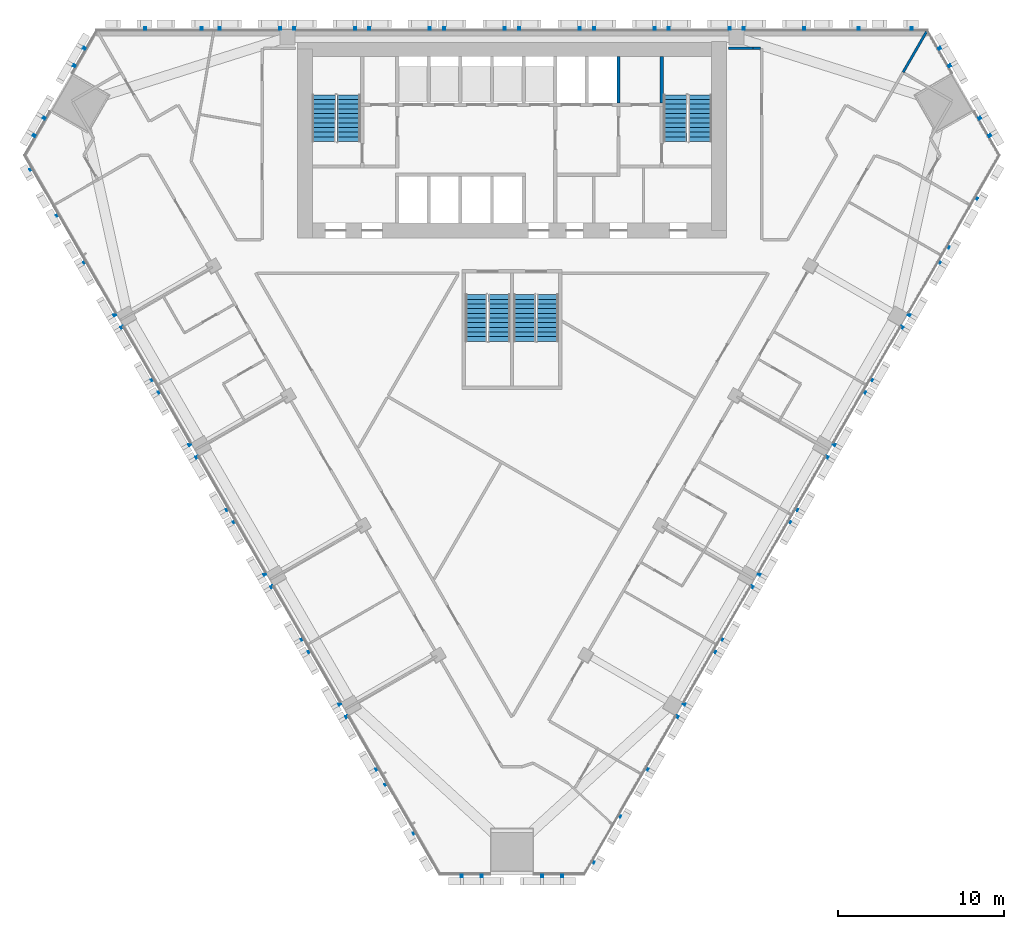
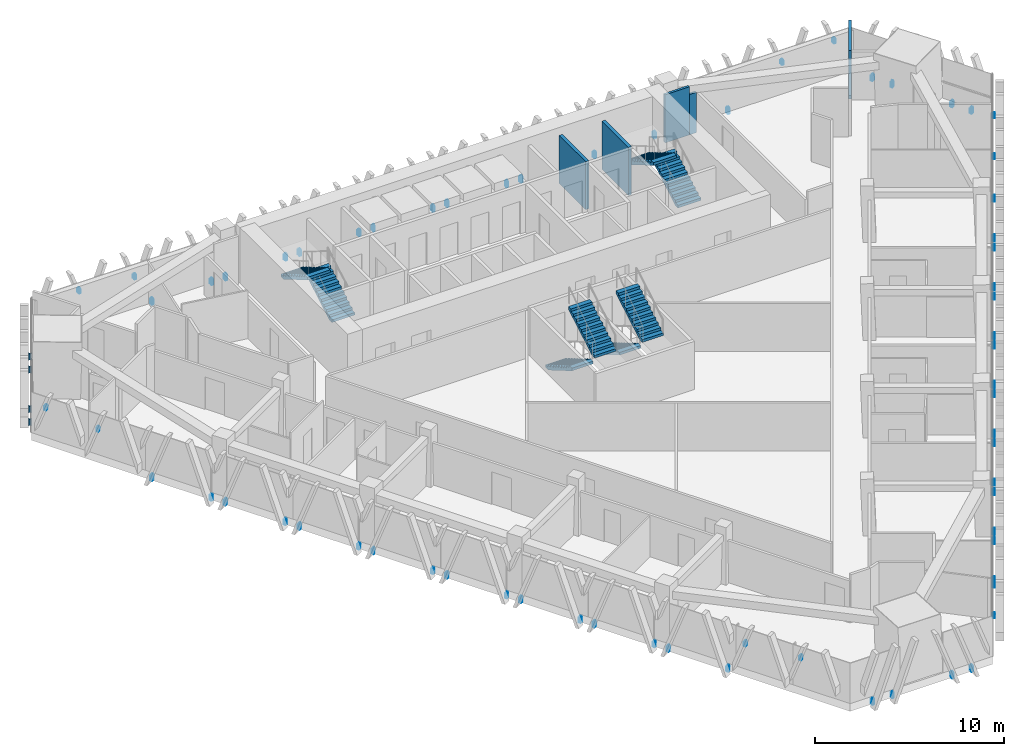
# One storey, part 13 of 16: 8 stair flights, 6 discrete accessories, 5 walls, 4 elements without a shape of their own.
"""IFC4 building model written with IfcOpenShell, lengths in metres."""

from ifc_helpers import new_model, si_unit, direction, frame, frame_2d, origin, place, context, subcontext, project, spatial, polyline, rectangle, outline, extrude, source, transform, mapped, material, layer, layer_set, type_object, element, aggregate, save


model = new_model("IFC4")

# Units and contexts
model_context = context("Model", 3, precision=1e-05, world=origin(), true_north=direction((0.0, 1.0)))
body_context = subcontext(model_context, "Body", "Model", "MODEL_VIEW")
ifc_project = project(units=[si_unit("LENGTHUNIT", "METRE"), si_unit("AREAUNIT", "SQUARE_METRE"), si_unit("VOLUMEUNIT", "CUBIC_METRE"), si_unit("PLANEANGLEUNIT", "RADIAN"), si_unit("MASSUNIT", "GRAM", prefix="KILO")], contexts=[model_context])

# Site, building, storey
site_placement = place(None, origin())
site = spatial("IfcSite", under=ifc_project, at=site_placement, CompositionType="ELEMENT")
building_placement = place(site_placement, origin())
building = spatial("IfcBuilding", under=site, at=building_placement, Name="Altiplano Prism Tower", CompositionType="ELEMENT")
storey_placement = place(building_placement, frame((0.0, 0.0, 88.199951171875)))
storey = spatial("IfcBuildingStorey", under=building, at=storey_placement, Name="L22", CompositionType="ELEMENT", Elevation=88.199951171875)

# Walls
ifc_material_1 = material(Name="Plasterboard on steel stud", Category="steel")
ifc_layer_1 = layer(ifc_material_1, 0.14990234375)
ifc_layer_set_1 = layer_set([ifc_layer_1], Name="Plasterboard on steel stud")
wall_type_1 = type_object("IfcWallType", Name="Partition 150 corridor", PredefinedType="PARTITIONING", material=ifc_layer_set_1)
wall_1_placement = place(storey_placement, frame((99.925048828125, 103.89990234375, 0.0), z_axis=(0.0, 0.0, 1.0), x_axis=(-1.0, 0.0, 0.0)))
element("IfcWall", 1, at=wall_1_placement, inside=storey, type_object=wall_type_1, Name="Partition P06 L22 041", PredefinedType="PARTITIONING", context=body_context, shape_type="SweptSolid", body=[
    extrude(rectangle(XDim=0.432861328125, YDim=0.14990234375, at=frame_2d((0.21630859375, 0.0))), origin(), (0.0, 0.0, 1.0), 2.60009765625),
])
wall_2_placement = place(storey_placement, frame((99.4921875, 103.89990234375, 0.0), z_axis=(0.0, 0.0, 1.0), x_axis=(-1.0, 0.0, 0.0)))
element("IfcWall", 2, at=wall_2_placement, inside=storey, type_object=wall_type_1, Name="Partition P06 L22 042", PredefinedType="PARTITIONING", context=body_context, shape_type="SweptSolid", body=[
    extrude(rectangle(XDim=1.4921875, YDim=0.14990234375, at=frame_2d((0.74609375, 0.0))), origin(), (0.0, 0.0, 1.0), 3.10009765625),
])
ifc_layer_2 = layer(ifc_material_1, 0.14990234375)
ifc_layer_set_2 = layer_set([ifc_layer_2], Name="Plasterboard on steel stud")
wall_type_2 = type_object("IfcWallType", Name="Partition 150 party", PredefinedType="PARTITIONING", material=ifc_layer_set_2)
wall_3_placement = place(storey_placement, frame((109.904052734375, 104.89990234375, 0.0), z_axis=(0.0, 0.0, 1.0), x_axis=(-0.49997269499, -0.866041167766, 0.0)))
element("IfcWall", 3, at=wall_3_placement, inside=storey, type_object=wall_type_2, Name="Partition P01 L22 079", PredefinedType="PARTITIONING", context=body_context, shape_type="SweptSolid", body=[
    extrude(rectangle(XDim=2.815185546875, YDim=0.14990234375, at=frame_2d((1.40771484375, 0.0))), origin(), (0.0, 0.0, 1.0), 3.10009765625),
])
ifc_material_2 = material(Name="Concrete C60/75", Category="concrete")
ifc_layer_3 = layer(ifc_material_2, 0.199951171875)
ifc_layer_set_3 = layer_set([ifc_layer_3], Name="Concrete C60/75")
wall_type_3 = type_object("IfcWallType", Name="Shaft wall 200", PredefinedType="SOLIDWALL", material=ifc_layer_set_3)
wall_4_placement = place(storey_placement, frame((91.39990234375, 100.60009765625, 0.0), z_axis=(0.0, 0.0, 1.0), x_axis=(0.0, 1.0, 0.0)))
element("IfcWall", 4, at=wall_4_placement, inside=storey, type_object=wall_type_3, Name="Shaft wall L22", PredefinedType="SOLIDWALL", context=body_context, shape_type="SweptSolid", body=[
    extrude(rectangle(XDim=2.7998046875, YDim=0.199951171875, at=frame_2d((1.39990234375, 0.0))), origin(), (0.0, 0.0, 1.0), 3.10009765625),
])
ifc_layer_4 = layer(ifc_material_2, 0.199951171875)
ifc_layer_set_4 = layer_set([ifc_layer_4], Name="Concrete C60/75")
wall_type_4 = type_object("IfcWallType", Name="Stair wall 200", PredefinedType="SOLIDWALL", material=ifc_layer_set_4)
wall_5_placement = place(storey_placement, frame((94.0, 100.60009765625, 0.0), z_axis=(0.0, 0.0, 1.0), x_axis=(0.0, 1.0, 0.0)))
element("IfcWall", 5, at=wall_5_placement, inside=storey, type_object=wall_type_4, Name="Stair wall L22", PredefinedType="SOLIDWALL", context=body_context, shape_type="SweptSolid", body=[
    extrude(rectangle(XDim=2.7998046875, YDim=0.199951171875, at=frame_2d((1.39990234375, 0.0))), origin(), (0.0, 0.0, 1.0), 3.10009765625),
])

# Stair, stair flights
ifc_material_3 = material(Name="Concrete C40/50", Category="concrete")
stair_type_1 = type_object("IfcStairType", Name="Exit stair 1400", PredefinedType="HALF_TURN_STAIR", material=ifc_material_3)
stair_1_placement = place(storey_placement, origin())
stair_1 = element("IfcStair", 6, at=stair_1_placement, inside=storey, type_object=stair_type_1, Name="L22 Exit Stair 1", PredefinedType="HALF_TURN_STAIR")
stair_flight_type = type_object("IfcStairFlightType", Name="Stair flight concrete 150", PredefinedType="STRAIGHT", material=ifc_material_3)
stair_flight_1_placement = place(storey_placement, frame((75.199951171875, 98.300048828125, 0.0), z_axis=(0.0, 0.0, 1.0), x_axis=(0.0, 1.0, 0.0)))
stair_flight_1 = element("IfcStairFlight", 7, at=stair_flight_1_placement, type_object=stair_flight_type, Name="ST1 flight 1", NumberOfRisers=11, NumberOfTreads=10, PredefinedType="STRAIGHT", RiserHeight=0.163636364, TreadLength=0.28, context=body_context, shape_type="SweptSolid", body=[
    extrude(outline(polyline([(0.0, 0.0), (0.0, 0.16357421875), (0.280029296875, 0.16357421875), (0.280029296875, 0.327392578125), (0.56005859375, 0.327392578125), (0.56005859375, 0.490966796875), (0.840087890625, 0.490966796875), (0.840087890625, 0.654541015625), (1.1201171875, 0.654541015625), (1.1201171875, 0.818115234375), (1.39990234375, 0.818115234375), (1.39990234375, 0.98193359375), (1.679931640625, 0.98193359375), (1.679931640625, 1.1455078125), (1.9599609375, 1.1455078125), (1.9599609375, 1.30908203125), (2.239990234375, 1.30908203125), (2.239990234375, 1.47265625), (2.52001953125, 1.47265625), (2.52001953125, 1.636474609375), (2.800048828125, 1.636474609375), (2.800048828125, 1.800048828125), (2.800048828125, 1.462646484375), (0.297119140625, 0.0), (0.0, 0.0)])), frame((0.0, 0.699951171875, 0.0), z_axis=(0.0, -1.0, 0.0), x_axis=(1.0, 0.0, 0.0)), (0.0, 0.0, 1.0), 1.39990234375),
])
stair_flight_2_placement = place(storey_placement, frame((73.699951171875, 101.10009765625, 1.800048828125), z_axis=(0.0, 0.0, 1.0), x_axis=(0.0, -1.0, 0.0)))
stair_flight_2 = element("IfcStairFlight", 8, at=stair_flight_2_placement, type_object=stair_flight_type, Name="ST1 flight 2", NumberOfRisers=11, NumberOfTreads=10, PredefinedType="STRAIGHT", RiserHeight=0.163636364, TreadLength=0.28, context=body_context, shape_type="SweptSolid", body=[
    extrude(outline(polyline([(0.0, 0.0), (0.0, 0.16357421875), (0.280029296875, 0.16357421875), (0.280029296875, 0.327392578125), (0.56005859375, 0.327392578125), (0.56005859375, 0.490966796875), (0.840087890625, 0.490966796875), (0.840087890625, 0.654541015625), (1.1201171875, 0.654541015625), (1.1201171875, 0.818115234375), (1.39990234375, 0.818115234375), (1.39990234375, 0.98193359375), (1.679931640625, 0.98193359375), (1.679931640625, 1.1455078125), (1.9599609375, 1.1455078125), (1.9599609375, 1.30908203125), (2.239990234375, 1.30908203125), (2.239990234375, 1.47265625), (2.52001953125, 1.47265625), (2.52001953125, 1.636474609375), (2.800048828125, 1.636474609375), (2.800048828125, 1.800048828125), (2.800048828125, 1.462646484375), (0.297119140625, 0.0), (0.0, 0.0)])), frame((0.0, 0.699951171875, 0.0), z_axis=(0.0, -1.0, 0.0), x_axis=(1.0, 0.0, 0.0)), (0.0, 0.0, 1.0), 1.39990234375),
])
aggregate(stair_1, [stair_flight_1, stair_flight_2])

stair_2_placement = place(storey_placement, origin())
stair_2 = element("IfcStair", 9, at=stair_2_placement, inside=storey, type_object=stair_type_1, Name="L22 Exit Stair 2", PredefinedType="HALF_TURN_STAIR")
stair_flight_3_placement = place(storey_placement, frame((96.300048828125, 98.300048828125, 0.0), z_axis=(0.0, 0.0, 1.0), x_axis=(0.0, 1.0, 0.0)))
stair_flight_3 = element("IfcStairFlight", 10, at=stair_flight_3_placement, type_object=stair_flight_type, Name="ST2 flight 1", NumberOfRisers=11, NumberOfTreads=10, PredefinedType="STRAIGHT", RiserHeight=0.163636364, TreadLength=0.28, context=body_context, shape_type="SweptSolid", body=[
    extrude(outline(polyline([(0.0, 0.0), (0.0, 0.16357421875), (0.280029296875, 0.16357421875), (0.280029296875, 0.327392578125), (0.56005859375, 0.327392578125), (0.56005859375, 0.490966796875), (0.840087890625, 0.490966796875), (0.840087890625, 0.654541015625), (1.1201171875, 0.654541015625), (1.1201171875, 0.818115234375), (1.39990234375, 0.818115234375), (1.39990234375, 0.98193359375), (1.679931640625, 0.98193359375), (1.679931640625, 1.1455078125), (1.9599609375, 1.1455078125), (1.9599609375, 1.30908203125), (2.239990234375, 1.30908203125), (2.239990234375, 1.47265625), (2.52001953125, 1.47265625), (2.52001953125, 1.636474609375), (2.800048828125, 1.636474609375), (2.800048828125, 1.800048828125), (2.800048828125, 1.462646484375), (0.297119140625, 0.0), (0.0, 0.0)])), frame((0.0, 0.699951171875, 0.0), z_axis=(0.0, -1.0, 0.0), x_axis=(1.0, 0.0, 0.0)), (0.0, 0.0, 1.0), 1.39990234375),
])
stair_flight_4_placement = place(storey_placement, frame((94.800048828125, 101.10009765625, 1.800048828125), z_axis=(0.0, 0.0, 1.0), x_axis=(0.0, -1.0, 0.0)))
stair_flight_4 = element("IfcStairFlight", 11, at=stair_flight_4_placement, type_object=stair_flight_type, Name="ST2 flight 2", NumberOfRisers=11, NumberOfTreads=10, PredefinedType="STRAIGHT", RiserHeight=0.163636364, TreadLength=0.28, context=body_context, shape_type="SweptSolid", body=[
    extrude(outline(polyline([(0.0, 0.0), (0.0, 0.16357421875), (0.280029296875, 0.16357421875), (0.280029296875, 0.327392578125), (0.56005859375, 0.327392578125), (0.56005859375, 0.490966796875), (0.840087890625, 0.490966796875), (0.840087890625, 0.654541015625), (1.1201171875, 0.654541015625), (1.1201171875, 0.818115234375), (1.39990234375, 0.818115234375), (1.39990234375, 0.98193359375), (1.679931640625, 0.98193359375), (1.679931640625, 1.1455078125), (1.9599609375, 1.1455078125), (1.9599609375, 1.30908203125), (2.239990234375, 1.30908203125), (2.239990234375, 1.47265625), (2.52001953125, 1.47265625), (2.52001953125, 1.636474609375), (2.800048828125, 1.636474609375), (2.800048828125, 1.800048828125), (2.800048828125, 1.462646484375), (0.297119140625, 0.0), (0.0, 0.0)])), frame((0.0, 0.699951171875, 0.0), z_axis=(0.0, -1.0, 0.0), x_axis=(1.0, 0.0, 0.0)), (0.0, 0.0, 1.0), 1.39990234375),
])
aggregate(stair_2, [stair_flight_3, stair_flight_4])

stair_type_2 = type_object("IfcStairType", Name="Exit stair 1300", PredefinedType="HALF_TURN_STAIR", material=ifc_material_3)
stair_3_placement = place(storey_placement, origin())
stair_3 = element("IfcStair", 12, at=stair_3_placement, inside=storey, type_object=stair_type_2, Name="L22 Exit Stair 3A", PredefinedType="HALF_TURN_STAIR")
stair_flight_5_placement = place(storey_placement, frame((82.85009765625, 89.10009765625, 0.0), z_axis=(0.0, 0.0, 1.0), x_axis=(0.0, -1.0, 0.0)))
stair_flight_5 = element("IfcStairFlight", 13, at=stair_flight_5_placement, type_object=stair_flight_type, Name="ST3A flight 1", NumberOfRisers=11, NumberOfTreads=10, PredefinedType="STRAIGHT", RiserHeight=0.163636364, TreadLength=0.28, context=body_context, shape_type="SweptSolid", body=[
    extrude(outline(polyline([(0.0, 0.0), (0.0, 0.16357421875), (0.280029296875, 0.16357421875), (0.280029296875, 0.327392578125), (0.56005859375, 0.327392578125), (0.56005859375, 0.490966796875), (0.840087890625, 0.490966796875), (0.840087890625, 0.654541015625), (1.1201171875, 0.654541015625), (1.1201171875, 0.818115234375), (1.39990234375, 0.818115234375), (1.39990234375, 0.98193359375), (1.679931640625, 0.98193359375), (1.679931640625, 1.1455078125), (1.9599609375, 1.1455078125), (1.9599609375, 1.30908203125), (2.239990234375, 1.30908203125), (2.239990234375, 1.47265625), (2.52001953125, 1.47265625), (2.52001953125, 1.636474609375), (2.800048828125, 1.636474609375), (2.800048828125, 1.800048828125), (2.800048828125, 1.462646484375), (0.297119140625, 0.0), (0.0, 0.0)])), frame((0.0, 0.64990234375, 0.0), z_axis=(0.0, -1.0, 0.0), x_axis=(1.0, 0.0, 0.0)), (0.0, 0.0, 1.0), 1.300048828125),
])
stair_flight_6_placement = place(storey_placement, frame((84.25, 86.300048828125, 1.800048828125), z_axis=(0.0, 0.0, 1.0), x_axis=(0.0, 1.0, 0.0)))
stair_flight_6 = element("IfcStairFlight", 14, at=stair_flight_6_placement, type_object=stair_flight_type, Name="ST3A flight 2", NumberOfRisers=11, NumberOfTreads=10, PredefinedType="STRAIGHT", RiserHeight=0.163636364, TreadLength=0.28, context=body_context, shape_type="SweptSolid", body=[
    extrude(outline(polyline([(0.0, 0.0), (0.0, 0.16357421875), (0.280029296875, 0.16357421875), (0.280029296875, 0.327392578125), (0.56005859375, 0.327392578125), (0.56005859375, 0.490966796875), (0.840087890625, 0.490966796875), (0.840087890625, 0.654541015625), (1.1201171875, 0.654541015625), (1.1201171875, 0.818115234375), (1.39990234375, 0.818115234375), (1.39990234375, 0.98193359375), (1.679931640625, 0.98193359375), (1.679931640625, 1.1455078125), (1.9599609375, 1.1455078125), (1.9599609375, 1.30908203125), (2.239990234375, 1.30908203125), (2.239990234375, 1.47265625), (2.52001953125, 1.47265625), (2.52001953125, 1.636474609375), (2.800048828125, 1.636474609375), (2.800048828125, 1.800048828125), (2.800048828125, 1.462646484375), (0.297119140625, 0.0), (0.0, 0.0)])), frame((0.0, 0.64990234375, 0.0), z_axis=(0.0, -1.0, 0.0), x_axis=(1.0, 0.0, 0.0)), (0.0, 0.0, 1.0), 1.300048828125),
])
aggregate(stair_3, [stair_flight_5, stair_flight_6])

stair_4_placement = place(storey_placement, origin())
stair_4 = element("IfcStair", 15, at=stair_4_placement, inside=storey, type_object=stair_type_2, Name="L22 Exit Stair 3B", PredefinedType="HALF_TURN_STAIR")
stair_flight_7_placement = place(storey_placement, frame((85.75, 89.10009765625, 0.0), z_axis=(0.0, 0.0, 1.0), x_axis=(0.0, -1.0, 0.0)))
stair_flight_7 = element("IfcStairFlight", 16, at=stair_flight_7_placement, type_object=stair_flight_type, Name="ST3B flight 1", NumberOfRisers=11, NumberOfTreads=10, PredefinedType="STRAIGHT", RiserHeight=0.163636364, TreadLength=0.28, context=body_context, shape_type="SweptSolid", body=[
    extrude(outline(polyline([(0.0, 0.0), (0.0, 0.16357421875), (0.280029296875, 0.16357421875), (0.280029296875, 0.327392578125), (0.56005859375, 0.327392578125), (0.56005859375, 0.490966796875), (0.840087890625, 0.490966796875), (0.840087890625, 0.654541015625), (1.1201171875, 0.654541015625), (1.1201171875, 0.818115234375), (1.39990234375, 0.818115234375), (1.39990234375, 0.98193359375), (1.679931640625, 0.98193359375), (1.679931640625, 1.1455078125), (1.9599609375, 1.1455078125), (1.9599609375, 1.30908203125), (2.239990234375, 1.30908203125), (2.239990234375, 1.47265625), (2.52001953125, 1.47265625), (2.52001953125, 1.636474609375), (2.800048828125, 1.636474609375), (2.800048828125, 1.800048828125), (2.800048828125, 1.462646484375), (0.297119140625, 0.0), (0.0, 0.0)])), frame((0.0, 0.64990234375, 0.0), z_axis=(0.0, -1.0, 0.0), x_axis=(1.0, 0.0, 0.0)), (0.0, 0.0, 1.0), 1.300048828125),
])
stair_flight_8_placement = place(storey_placement, frame((87.14990234375, 86.300048828125, 1.800048828125), z_axis=(0.0, 0.0, 1.0), x_axis=(0.0, 1.0, 0.0)))
stair_flight_8 = element("IfcStairFlight", 17, at=stair_flight_8_placement, type_object=stair_flight_type, Name="ST3B flight 2", NumberOfRisers=11, NumberOfTreads=10, PredefinedType="STRAIGHT", RiserHeight=0.163636364, TreadLength=0.28, context=body_context, shape_type="SweptSolid", body=[
    extrude(outline(polyline([(0.0, 0.0), (0.0, 0.16357421875), (0.280029296875, 0.16357421875), (0.280029296875, 0.327392578125), (0.56005859375, 0.327392578125), (0.56005859375, 0.490966796875), (0.840087890625, 0.490966796875), (0.840087890625, 0.654541015625), (1.1201171875, 0.654541015625), (1.1201171875, 0.818115234375), (1.39990234375, 0.818115234375), (1.39990234375, 0.98193359375), (1.679931640625, 0.98193359375), (1.679931640625, 1.1455078125), (1.9599609375, 1.1455078125), (1.9599609375, 1.30908203125), (2.239990234375, 1.30908203125), (2.239990234375, 1.47265625), (2.52001953125, 1.47265625), (2.52001953125, 1.636474609375), (2.800048828125, 1.636474609375), (2.800048828125, 1.800048828125), (2.800048828125, 1.462646484375), (0.297119140625, 0.0), (0.0, 0.0)])), frame((0.0, 0.64990234375, 0.0), z_axis=(0.0, -1.0, 0.0), x_axis=(1.0, 0.0, 0.0)), (0.0, 0.0, 1.0), 1.300048828125),
])
aggregate(stair_4, [stair_flight_7, stair_flight_8])

# Discrete accessories
ifc_material_4 = material(Name="Stainless steel", Category="steel")
discrete_accessory_type = type_object("IfcDiscreteAccessoryType", Name="Stone fin fixing prongs", PredefinedType="USERDEFINED", material=ifc_material_4)
shared_shape_1 = source(origin(), body_context, "Body", "SweptSolid", [
    extrude(outline(polyline([(-1.06201171875, 2.34521484375), (-0.942138671875, 2.34521484375), (-0.942138671875, 2.645263671875), (-1.06201171875, 2.645263671875), (-1.06201171875, 2.34521484375)])), frame((0.0, 0.0, 0.0), z_axis=(0.0, -1.0, 0.0), x_axis=(1.0, 0.0, 0.0)), (0.0, 0.0, 1.0), 0.14990234375),
])
shared_shape_2 = source(origin(), body_context, "Body", "SweptSolid", [
    extrude(outline(polyline([(-1.16162109375, 2.07177734375), (-1.041748046875, 2.07177734375), (-1.041748046875, 2.37158203125), (-1.16162109375, 2.37158203125), (-1.16162109375, 2.07177734375)])), frame((0.0, 0.0, 0.0), z_axis=(0.0, -1.0, 0.0), x_axis=(1.0, 0.0, 0.0)), (0.0, 0.0, 1.0), 0.14990234375),
])
shared_shape_3 = source(origin(), body_context, "Body", "SweptSolid", [
    extrude(outline(polyline([(-1.87939453125, 0.06005859375), (-1.75927734375, 0.06005859375), (-1.75927734375, 0.43994140625), (-1.87939453125, 0.43994140625), (-1.87939453125, 0.06005859375)])), frame((0.0, 0.0, 0.0), z_axis=(0.0, -1.0, 0.0), x_axis=(1.0, 0.0, 0.0)), (0.0, 0.0, 1.0), 0.14990234375),
    extrude(outline(polyline([(1.75927734375, 0.06005859375), (1.87939453125, 0.06005859375), (1.87939453125, 0.43994140625), (1.75927734375, 0.43994140625), (1.75927734375, 0.06005859375)])), frame((0.0, 0.0, 0.0), z_axis=(0.0, -1.0, 0.0), x_axis=(1.0, 0.0, 0.0)), (0.0, 0.0, 1.0), 0.14990234375),
])
discrete_accessory_1_placement = place(storey_placement, origin())
element("IfcDiscreteAccessory", 18, at=discrete_accessory_1_placement, inside=storey, type_object=discrete_accessory_type, Name="Fin fixings L22 north face", ObjectType="BRACKET", PredefinedType="USERDEFINED", context=body_context, shape_type="MappedRepresentation", body=[
    mapped(shared_shape_1, transform((108.021484375, 105.0, -0.5), x_axis=(-1.0, 0.0, 0.0), y_axis=(0.0, -1.0, 0.0), z_axis=(0.0, 0.0, 1.0))),
    mapped(shared_shape_2, transform((104.740478515625, 105.0, -0.5), x_axis=(-1.0, 0.0, 0.0), y_axis=(0.0, -1.0, 0.0), z_axis=(0.0, 0.0, 1.0))),
    mapped(shared_shape_3, transform((100.75, 105.0, -0.5), x_axis=(-1.0, 0.0, 0.0), y_axis=(0.0, -1.0, 0.0), z_axis=(0.0, 0.0, 1.0))),
    mapped(shared_shape_3, transform((96.25, 105.0, -0.5), x_axis=(-1.0, 0.0, 0.0), y_axis=(0.0, -1.0, 0.0), z_axis=(0.0, 0.0, 1.0))),
    mapped(shared_shape_3, transform((91.75, 105.0, -0.5), x_axis=(-1.0, 0.0, 0.0), y_axis=(0.0, -1.0, 0.0), z_axis=(0.0, 0.0, 1.0))),
    mapped(shared_shape_3, transform((87.25, 105.0, -0.5), x_axis=(-1.0, 0.0, 0.0), y_axis=(0.0, -1.0, 0.0), z_axis=(0.0, 0.0, 1.0))),
    mapped(shared_shape_3, transform((82.75, 105.0, -0.5), x_axis=(-1.0, 0.0, 0.0), y_axis=(0.0, -1.0, 0.0), z_axis=(0.0, 0.0, 1.0))),
    mapped(shared_shape_3, transform((78.25, 105.0, -0.5), x_axis=(-1.0, 0.0, 0.0), y_axis=(0.0, -1.0, 0.0), z_axis=(0.0, 0.0, 1.0))),
    mapped(shared_shape_3, transform((73.75, 105.0, -0.5), x_axis=(-1.0, 0.0, 0.0), y_axis=(0.0, -1.0, 0.0), z_axis=(0.0, 0.0, 1.0))),
    mapped(shared_shape_3, transform((69.25, 105.0, -0.5), x_axis=(-1.0, 0.0, 0.0), y_axis=(0.0, -1.0, 0.0), z_axis=(0.0, 0.0, 1.0))),
    mapped(shared_shape_2, transform((65.259521484375, 105.0, -0.5), x_axis=(-1.0, 0.0, 0.0), y_axis=(0.0, -1.0, 0.0), z_axis=(0.0, 0.0, 1.0))),
    mapped(shared_shape_1, transform((61.978515625, 105.0, -0.5), x_axis=(-1.0, 0.0, 0.0), y_axis=(0.0, -1.0, 0.0), z_axis=(0.0, 0.0, 1.0))),
])
discrete_accessory_2_placement = place(storey_placement, origin())
element("IfcDiscreteAccessory", 19, at=discrete_accessory_2_placement, inside=storey, type_object=discrete_accessory_type, Name="Fin fixings L22 south-west face", ObjectType="BRACKET", PredefinedType="USERDEFINED", context=body_context, shape_type="MappedRepresentation", body=[
    mapped(shared_shape_1, transform((56.66259765625, 95.79248046875, -0.5), x_axis=(0.500000010005, -0.866025398008, 0.0), y_axis=(0.866025398008, 0.500000010005, 0.0), z_axis=(0.0, 0.0, 1.0))),
    mapped(shared_shape_2, transform((58.302978515625, 92.950927734375, -0.5), x_axis=(0.500000010005, -0.866025398008, 0.0), y_axis=(0.866025398008, 0.500000010005, 0.0), z_axis=(0.0, 0.0, 1.0))),
    mapped(shared_shape_3, transform((60.29833984375, 89.4951171875, -0.5), x_axis=(0.500000010005, -0.866025398008, 0.0), y_axis=(0.866025398008, 0.500000010005, 0.0), z_axis=(0.0, 0.0, 1.0))),
    mapped(shared_shape_3, transform((62.54833984375, 85.59814453125, -0.5), x_axis=(0.500000010005, -0.866025398008, 0.0), y_axis=(0.866025398008, 0.500000010005, 0.0), z_axis=(0.0, 0.0, 1.0))),
    mapped(shared_shape_3, transform((64.79833984375, 81.700927734375, -0.5), x_axis=(0.500000010005, -0.866025398008, 0.0), y_axis=(0.866025398008, 0.500000010005, 0.0), z_axis=(0.0, 0.0, 1.0))),
    mapped(shared_shape_3, transform((67.04833984375, 77.803955078125, -0.5), x_axis=(0.500000010005, -0.866025398008, 0.0), y_axis=(0.866025398008, 0.500000010005, 0.0), z_axis=(0.0, 0.0, 1.0))),
    mapped(shared_shape_3, transform((69.29833984375, 73.90673828125, -0.5), x_axis=(0.500000010005, -0.866025398008, 0.0), y_axis=(0.866025398008, 0.500000010005, 0.0), z_axis=(0.0, 0.0, 1.0))),
    mapped(shared_shape_3, transform((71.54833984375, 70.009521484375, -0.5), x_axis=(0.500000010005, -0.866025398008, 0.0), y_axis=(0.866025398008, 0.500000010005, 0.0), z_axis=(0.0, 0.0, 1.0))),
    mapped(shared_shape_3, transform((73.79833984375, 66.112548828125, -0.5), x_axis=(0.500000010005, -0.866025398008, 0.0), y_axis=(0.866025398008, 0.500000010005, 0.0), z_axis=(0.0, 0.0, 1.0))),
    mapped(shared_shape_3, transform((76.04833984375, 62.21533203125, -0.5), x_axis=(0.500000010005, -0.866025398008, 0.0), y_axis=(0.866025398008, 0.500000010005, 0.0), z_axis=(0.0, 0.0, 1.0))),
    mapped(shared_shape_2, transform((78.04345703125, 58.759521484375, -0.5), x_axis=(0.500000010005, -0.866025398008, 0.0), y_axis=(0.866025398008, 0.500000010005, 0.0), z_axis=(0.0, 0.0, 1.0))),
    mapped(shared_shape_1, transform((79.68408203125, 55.918212890625, -0.5), x_axis=(0.500000010005, -0.866025398008, 0.0), y_axis=(0.866025398008, 0.500000010005, 0.0), z_axis=(0.0, 0.0, 1.0))),
])
discrete_accessory_3_placement = place(storey_placement, origin())
element("IfcDiscreteAccessory", 20, at=discrete_accessory_3_placement, inside=storey, type_object=discrete_accessory_type, Name="Fin fixings L22 south-east face", ObjectType="BRACKET", PredefinedType="USERDEFINED", context=body_context, shape_type="MappedRepresentation", body=[
    mapped(shared_shape_1, transform((90.31591796875, 55.918212890625, -0.5), x_axis=(0.500000010005, 0.866025398008, 0.0), y_axis=(-0.866025398008, 0.500000010005, 0.0), z_axis=(0.0, 0.0, 1.0))),
    mapped(shared_shape_2, transform((91.95654296875, 58.759521484375, -0.5), x_axis=(0.500000010005, 0.866025398008, 0.0), y_axis=(-0.866025398008, 0.500000010005, 0.0), z_axis=(0.0, 0.0, 1.0))),
    mapped(shared_shape_3, transform((93.95166015625, 62.21533203125, -0.5), x_axis=(0.500000010005, 0.866025398008, 0.0), y_axis=(-0.866025398008, 0.500000010005, 0.0), z_axis=(0.0, 0.0, 1.0))),
    mapped(shared_shape_3, transform((96.20166015625, 66.112548828125, -0.5), x_axis=(0.500000010005, 0.866025398008, 0.0), y_axis=(-0.866025398008, 0.500000010005, 0.0), z_axis=(0.0, 0.0, 1.0))),
    mapped(shared_shape_3, transform((98.45166015625, 70.009521484375, -0.5), x_axis=(0.500000010005, 0.866025398008, 0.0), y_axis=(-0.866025398008, 0.500000010005, 0.0), z_axis=(0.0, 0.0, 1.0))),
    mapped(shared_shape_3, transform((100.70166015625, 73.90673828125, -0.5), x_axis=(0.500000010005, 0.866025398008, 0.0), y_axis=(-0.866025398008, 0.500000010005, 0.0), z_axis=(0.0, 0.0, 1.0))),
    mapped(shared_shape_3, transform((102.95166015625, 77.803955078125, -0.5), x_axis=(0.500000010005, 0.866025398008, 0.0), y_axis=(-0.866025398008, 0.500000010005, 0.0), z_axis=(0.0, 0.0, 1.0))),
    mapped(shared_shape_3, transform((105.20166015625, 81.700927734375, -0.5), x_axis=(0.500000010005, 0.866025398008, 0.0), y_axis=(-0.866025398008, 0.500000010005, 0.0), z_axis=(0.0, 0.0, 1.0))),
    mapped(shared_shape_3, transform((107.45166015625, 85.59814453125, -0.5), x_axis=(0.500000010005, 0.866025398008, 0.0), y_axis=(-0.866025398008, 0.500000010005, 0.0), z_axis=(0.0, 0.0, 1.0))),
    mapped(shared_shape_3, transform((109.70166015625, 89.4951171875, -0.5), x_axis=(0.500000010005, 0.866025398008, 0.0), y_axis=(-0.866025398008, 0.500000010005, 0.0), z_axis=(0.0, 0.0, 1.0))),
    mapped(shared_shape_2, transform((111.697021484375, 92.950927734375, -0.5), x_axis=(0.500000010005, 0.866025398008, 0.0), y_axis=(-0.866025398008, 0.500000010005, 0.0), z_axis=(0.0, 0.0, 1.0))),
    mapped(shared_shape_1, transform((113.33740234375, 95.79248046875, -0.5), x_axis=(0.500000010005, 0.866025398008, 0.0), y_axis=(-0.866025398008, 0.500000010005, 0.0), z_axis=(0.0, 0.0, 1.0))),
])
shared_shape_4 = source(origin(), body_context, "Body", "SweptSolid", [
    extrude(outline(polyline([(-3.079345703125, 0.06005859375), (-2.959228515625, 0.06005859375), (-2.959228515625, 0.43994140625), (-3.079345703125, 0.43994140625), (-3.079345703125, 0.06005859375)])), frame((0.0, 0.0, 0.0), z_axis=(0.0, -1.0, 0.0), x_axis=(1.0, 0.0, 0.0)), (0.0, 0.0, 1.0), 0.14990234375),
    extrude(outline(polyline([(-1.87939453125, 0.06005859375), (-1.75927734375, 0.06005859375), (-1.75927734375, 0.43994140625), (-1.87939453125, 0.43994140625), (-1.87939453125, 0.06005859375)])), frame((0.0, 0.0, 0.0), z_axis=(0.0, -1.0, 0.0), x_axis=(1.0, 0.0, 0.0)), (0.0, 0.0, 1.0), 0.14990234375),
    extrude(outline(polyline([(1.75927734375, 0.06005859375), (1.87939453125, 0.06005859375), (1.87939453125, 0.43994140625), (1.75927734375, 0.43994140625), (1.75927734375, 0.06005859375)])), frame((0.0, 0.0, 0.0), z_axis=(0.0, -1.0, 0.0), x_axis=(1.0, 0.0, 0.0)), (0.0, 0.0, 1.0), 0.14990234375),
    extrude(outline(polyline([(2.959228515625, 0.06005859375), (3.079345703125, 0.06005859375), (3.079345703125, 0.43994140625), (2.959228515625, 0.43994140625), (2.959228515625, 0.06005859375)])), frame((0.0, 0.0, 0.0), z_axis=(0.0, -1.0, 0.0), x_axis=(1.0, 0.0, 0.0)), (0.0, 0.0, 1.0), 0.14990234375),
])
discrete_accessory_4_placement = place(storey_placement, origin())
element("IfcDiscreteAccessory", 21, at=discrete_accessory_4_placement, inside=storey, type_object=discrete_accessory_type, Name="Fin fixings L22 north-west chamfer", ObjectType="BRACKET", PredefinedType="USERDEFINED", context=body_context, shape_type="MappedRepresentation", body=[
    mapped(shared_shape_4, transform((57.865234375, 101.236572265625, -0.5), x_axis=(-0.500000022786, -0.866025390629, 0.0), y_axis=(0.866025390629, -0.500000022786, 0.0), z_axis=(0.0, 0.0, 1.0))),
])
discrete_accessory_5_placement = place(storey_placement, origin())
element("IfcDiscreteAccessory", 22, at=discrete_accessory_5_placement, inside=storey, type_object=discrete_accessory_type, Name="Fin fixings L22 south chamfer", ObjectType="BRACKET", PredefinedType="USERDEFINED", context=body_context, shape_type="MappedRepresentation", body=[
    mapped(shared_shape_4, transform((85.0, 54.237548828125, -0.5), x_axis=(1.0, 0.0, 0.0), y_axis=(0.0, 1.0, 0.0), z_axis=(0.0, 0.0, 1.0))),
])
discrete_accessory_6_placement = place(storey_placement, origin())
element("IfcDiscreteAccessory", 23, at=discrete_accessory_6_placement, inside=storey, type_object=discrete_accessory_type, Name="Fin fixings L22 north-east chamfer", ObjectType="BRACKET", PredefinedType="USERDEFINED", context=body_context, shape_type="MappedRepresentation", body=[
    mapped(shared_shape_4, transform((112.134765625, 101.236572265625, -0.5), x_axis=(-0.500000022786, 0.866025390629, 0.0), y_axis=(-0.866025390629, -0.500000022786, 0.0), z_axis=(0.0, 0.0, 1.0))),
])

save(model, "model.ifc")
